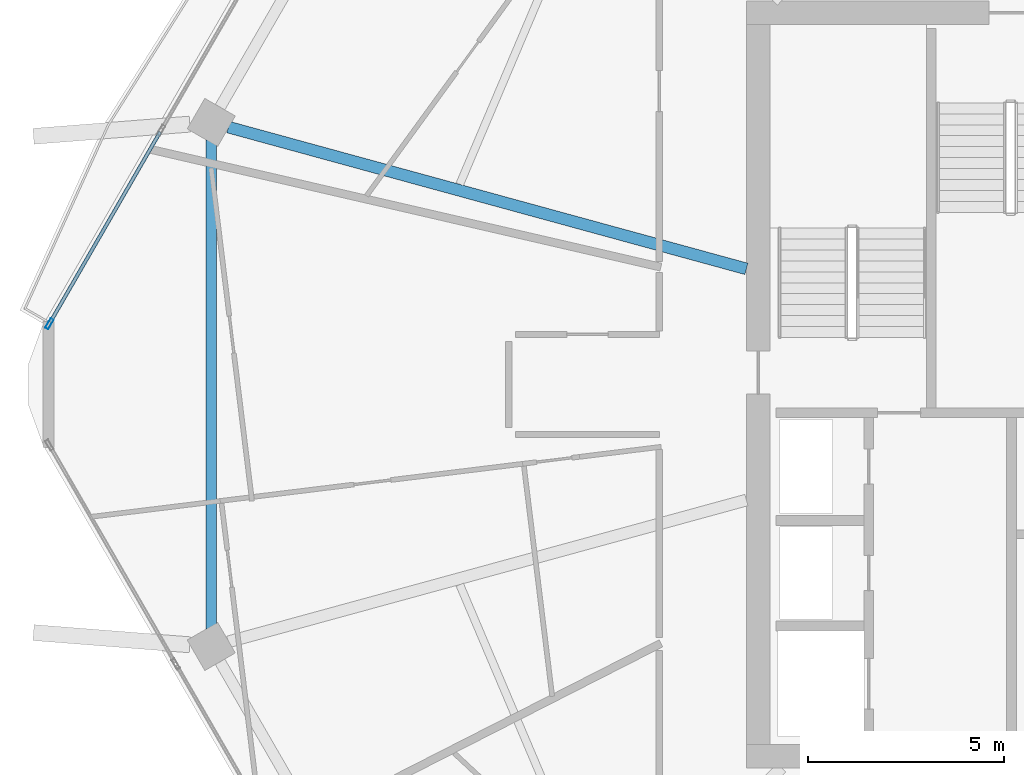
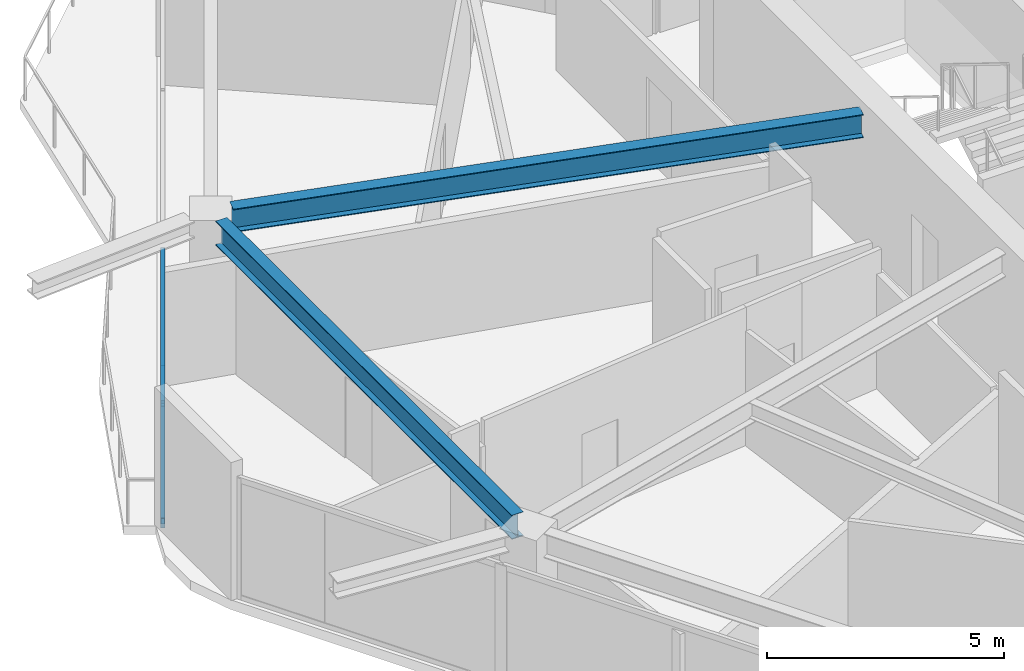
# One storey, part 6 of 25: 3 members, 2 beams, 1 element without a shape of its own.
"""IFC4 building model written with IfcOpenShell, lengths in metres."""

from ifc_helpers import new_model, si_unit, direction, frame, origin, origin_2d, place, context, subcontext, project, spatial, hollow_rectangle, i_section, extrude, material, material_profile, profile_set, type_object, element, aggregate, save


model = new_model("IFC4")

# Units and contexts
model_context = context("Model", 3, precision=1e-05, world=origin(), true_north=direction((0.0, 1.0)))
body_context = subcontext(model_context, "Body", "Model", "MODEL_VIEW")
ifc_project = project(units=[si_unit("LENGTHUNIT", "METRE"), si_unit("AREAUNIT", "SQUARE_METRE"), si_unit("VOLUMEUNIT", "CUBIC_METRE"), si_unit("PLANEANGLEUNIT", "RADIAN"), si_unit("MASSUNIT", "GRAM", prefix="KILO")], contexts=[model_context])

# Site, building, storey
site_placement = place(None, origin())
site = spatial("IfcSite", under=ifc_project, at=site_placement, CompositionType="ELEMENT")
building_placement = place(site_placement, origin())
building = spatial("IfcBuilding", under=site, at=building_placement, Name="Zuhravey Tower", CompositionType="ELEMENT")
storey_placement = place(building_placement, frame((0.0, 0.0, 257.800048828125)))
storey = spatial("IfcBuildingStorey", under=building, at=storey_placement, Name="L65", CompositionType="ELEMENT", Elevation=257.800048828125)

# Curtain wall, members
ifc_material_1 = material(Name="Thermally broken anodised aluminium", Category="aluminium")
curtain_wall_type = type_object("IfcCurtainWallType", Name="Zone 3-4 High-Rise Curtain Wall CW4", PredefinedType="NOTDEFINED", material=ifc_material_1)
curtain_wall_placement = place(storey_placement, origin())
curtain_wall = element("IfcCurtainWall", 1, at=curtain_wall_placement, inside=storey, type_object=curtain_wall_type, Name="L65 CW4 CW-L65-F3-1", PredefinedType="NOTDEFINED")
ifc_material_2 = material(Name="Anodised aluminium", Category="aluminium")
ifc_material_profile_1 = material_profile(ifc_material_2, hollow_rectangle(XDim=0.090087890625, YDim=0.284912109375, WallThickness=0.0048828125, at=origin_2d()), Name="ALU-RHS-90x285x5")
ifc_profile_set_1 = profile_set([ifc_material_profile_1], Name="Anodised aluminium")
member_type_1 = type_object("IfcMemberType", Name="Curtain-Wall Mullion 90x180", PredefinedType="MULLION", material=ifc_profile_set_1)
member_1_placement = place(storey_placement, frame((7.37744140625, 33.551513671875, 0.0), z_axis=(0.0, 0.0, 1.0), x_axis=(-0.866023617548, 0.50000309384, 0.0)))
member_1 = element("IfcMember", 2, at=member_1_placement, type_object=member_type_1, Name="CW4 mullion 1", PredefinedType="MULLION", context=body_context, shape_type="SweptSolid", body=[
    extrude(hollow_rectangle(XDim=0.090087890625, YDim=0.284912109375, WallThickness=0.0048828125, at=origin_2d()), origin(), (0.0, 0.0, 1.0), 3.1220703125),
])
ifc_material_profile_2 = material_profile(ifc_material_2, hollow_rectangle(XDim=0.090087890625, YDim=0.14990234375, WallThickness=0.0048828125, at=origin_2d()), Name="ALU-RHS-90x150x5")
ifc_profile_set_2 = profile_set([ifc_material_profile_2], Name="Anodised aluminium")
member_type_2 = type_object("IfcMemberType", Name="Curtain-Wall Transom 90x150", PredefinedType="USERDEFINED", material=ifc_profile_set_2)
member_2_placement = place(storey_placement, frame((7.39990234375, 33.59033203125, 0.044921875), z_axis=(0.499989477643, 0.866031478785, 0.0), x_axis=(-0.866031478785, 0.499989477643, 0.0)))
member_2 = element("IfcMember", 3, at=member_2_placement, type_object=member_type_2, Name="CW4 transom 1.1", ObjectType="TRANSOM", PredefinedType="USERDEFINED", context=body_context, shape_type="SweptSolid", body=[
    extrude(hollow_rectangle(XDim=0.090087890625, YDim=0.14990234375, WallThickness=0.0048828125, at=origin_2d()), origin(), (0.0, 0.0, 1.0), 5.619140625),
])
member_3_placement = place(storey_placement, frame((7.39990234375, 33.59033203125, 3.076904296875), z_axis=(0.499989477643, 0.866031478785, 0.0), x_axis=(-0.866031478785, 0.499989477643, 0.0)))
member_3 = element("IfcMember", 4, at=member_3_placement, type_object=member_type_2, Name="CW4 transom 1.2", ObjectType="TRANSOM", PredefinedType="USERDEFINED", context=body_context, shape_type="SweptSolid", body=[
    extrude(hollow_rectangle(XDim=0.090087890625, YDim=0.14990234375, WallThickness=0.0048828125, at=origin_2d()), origin(), (0.0, 0.0, 1.0), 5.619140625),
])
aggregate(curtain_wall, [member_1, member_2, member_3])

# Beams
ifc_material_3 = material(Name="Steel SM355", Category="steel")
ifc_material_profile_3 = material_profile(ifc_material_3, i_section(OverallWidth=0.280029296875, OverallDepth=0.6201171875, WebThickness=0.011962890625, FlangeThickness=0.02001953125, at=origin_2d()), Name="H-620x280x12x20")
ifc_profile_set_3 = profile_set([ifc_material_profile_3], Name="Steel SM355")
beam_type_1 = type_object("IfcBeamType", Name="Perimeter Ring Beam H620x280", PredefinedType="BEAM", material=ifc_profile_set_3)
beam_1_placement = place(storey_placement, frame((11.515380859375, 38.245849609375, 3.239990234375), z_axis=(0.0, -1.0, 0.0), x_axis=(1.0, 0.0, 0.0)))
element("IfcBeam", 5, at=beam_1_placement, inside=storey, type_object=beam_type_1, Name="L65 PB3 BM-L65-PB-06", PredefinedType="BEAM", context=body_context, shape_type="SweptSolid", body=[
    extrude(i_section(OverallWidth=0.280029296875, OverallDepth=0.6201171875, WebThickness=0.011962890625, FlangeThickness=0.02001953125, at=origin_2d()), origin(), (0.0, 0.0, 1.0), 12.49169921875),
])
ifc_material_profile_4 = material_profile(ifc_material_3, i_section(OverallWidth=0.300048828125, OverallDepth=0.60009765625, WebThickness=0.011962890625, FlangeThickness=0.02001953125, at=origin_2d()), Name="H-600x300x12x20")
ifc_profile_set_4 = profile_set([ifc_material_profile_4], Name="Steel SM355")
beam_type_2 = type_object("IfcBeamType", Name="Radial Primary Girder H600x300", PredefinedType="BEAM", material=ifc_profile_set_4)
beam_2_placement = place(storey_placement, frame((25.197021484375, 34.95556640625, 3.25), z_axis=(-0.964548913045, 0.26390413855, 0.0), x_axis=(-0.26390413855, -0.964548913045, 0.0)))
element("IfcBeam", 6, at=beam_2_placement, inside=storey, type_object=beam_type_2, Name="L65 RG3 BM-L65-RAD-06", PredefinedType="BEAM", context=body_context, shape_type="SweptSolid", body=[
    extrude(i_section(OverallWidth=0.300048828125, OverallDepth=0.60009765625, WebThickness=0.011962890625, FlangeThickness=0.02001953125, at=origin_2d()), origin(), (0.0, 0.0, 1.0), 13.7314453125),
])

save(model, "model.ifc")
